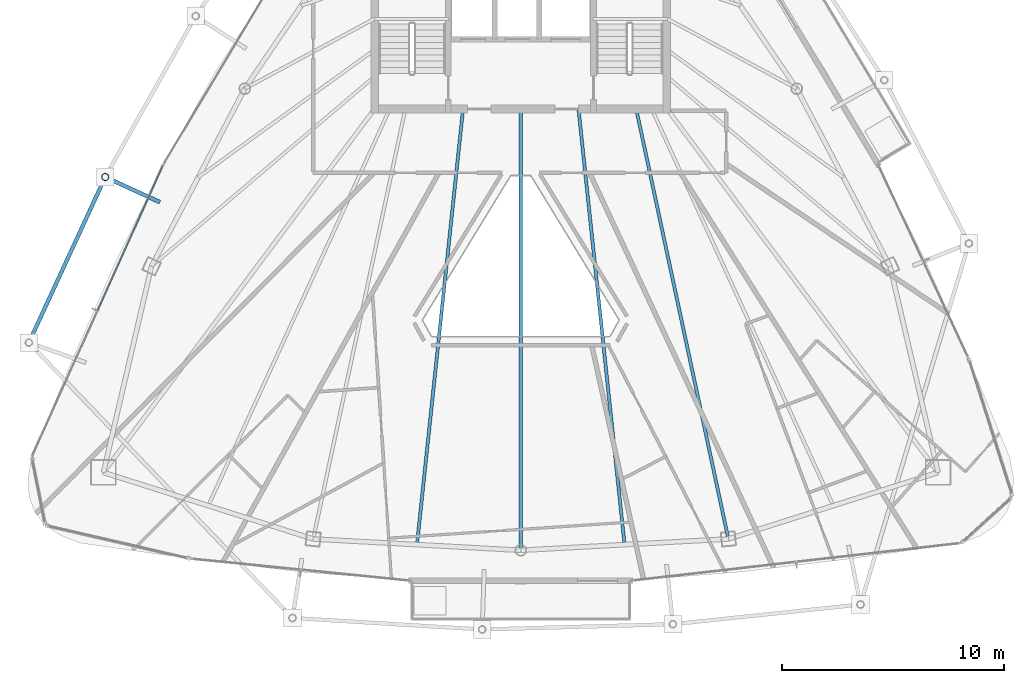
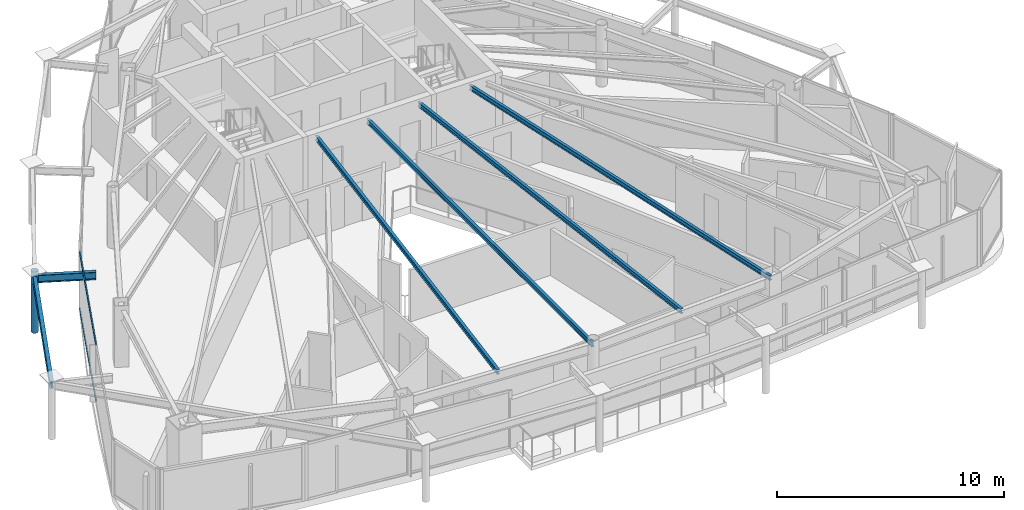
# One storey, part 9 of 29: 6 beams, 3 members, 1 element without a shape of its own.
"""IFC4 building model written with IfcOpenShell, lengths in metres."""

from ifc_helpers import new_model, si_unit, direction, frame, origin, origin_2d, place, context, subcontext, project, spatial, hollow_rectangle, hollow_circle, i_section, extrude, material, layer, layer_set, material_profile, profile_set, type_object, element, aggregate, save


model = new_model("IFC4")

# Units and contexts
model_context = context("Model", 3, precision=1e-05, world=origin(), true_north=direction((0.0, 1.0)))
body_context = subcontext(model_context, "Body", "Model", "MODEL_VIEW")
ifc_project = project(units=[si_unit("LENGTHUNIT", "METRE"), si_unit("AREAUNIT", "SQUARE_METRE"), si_unit("VOLUMEUNIT", "CUBIC_METRE"), si_unit("PLANEANGLEUNIT", "RADIAN"), si_unit("MASSUNIT", "GRAM", prefix="KILO")], contexts=[model_context])

# Site, building, storey
site_placement = place(None, origin())
site = spatial("IfcSite", under=ifc_project, at=site_placement, CompositionType="ELEMENT")
building_placement = place(site_placement, origin())
building = spatial("IfcBuilding", under=site, at=building_placement, Name="Orvanel Arch Residences", CompositionType="ELEMENT")
storey_placement = place(building_placement, frame((0.0, 0.0, 256.85009765625)))
storey = spatial("IfcBuildingStorey", under=building, at=storey_placement, Name="L73", CompositionType="ELEMENT", Elevation=256.85009765625)

# Beams
ifc_material_1 = material(Name="Structural steel AS/NZS 3679.1 Grade 300 (300 MPa)", Category="steel")
ifc_material_profile_1 = material_profile(ifc_material_1, i_section(OverallWidth=0.14599609375, OverallDepth=0.251953125, WebThickness=0.006103515625, FlangeThickness=0.008544921875, at=origin_2d()), Name="250UB31.4")
ifc_profile_set_1 = profile_set([ifc_material_profile_1], Name="Structural steel AS/NZS 3679.1 Grade 300 (300 MPa)")
beam_type_1 = type_object("IfcBeamType", Name="BJ-250UB", PredefinedType="JOIST", material=ifc_profile_set_1)
beam_1_placement = place(storey_placement, frame((38.199951171875, 26.72509765625, 2.933837890625), z_axis=(0.209547604985, -0.977798446125, 0.0), x_axis=(0.977798446125, 0.209547604985, 0.0)))
element("IfcBeam", 1, at=beam_1_placement, inside=storey, type_object=beam_type_1, Name="L73 SE Wing Floor Joist", PredefinedType="JOIST", context=body_context, shape_type="SweptSolid", body=[
    extrude(i_section(OverallWidth=0.14599609375, OverallDepth=0.251953125, WebThickness=0.006103515625, FlangeThickness=0.008544921875, at=origin_2d()), origin(), (0.0, 0.0, 1.0), 19.809814453125),
])
beam_2_placement = place(storey_placement, frame((33.0, 26.72509765625, 2.933837890625), z_axis=(0.0, -1.0, 0.0), x_axis=(1.0, 0.0, 0.0)))
element("IfcBeam", 2, at=beam_2_placement, inside=storey, type_object=beam_type_1, Name="L73 SSW Wing Floor Joist", PredefinedType="JOIST", context=body_context, shape_type="SweptSolid", body=[
    extrude(i_section(OverallWidth=0.14599609375, OverallDepth=0.251953125, WebThickness=0.006103515625, FlangeThickness=0.008544921875, at=origin_2d()), origin(), (0.0, 0.0, 1.0), 19.881103515625),
])
for number, where, z_axis, x_axis, name in (
    (3, (30.39990234375, 26.72509765625, 2.933837890625), (-0.105143936131, -0.994457014, 0.0), (0.994457014, -0.105143936131, 0.0), "L73 WSW2 Wing Floor Joist"),
    (4, (35.60009765625, 26.72509765625, 2.933837890625), (0.105143936131, -0.994457014, 0.0), (0.994457014, 0.105143936131, 0.0), "L73 ESE2 Wing Floor Joist"),
):
    element("IfcBeam", number, at=place(storey_placement, frame(where, z_axis=z_axis, x_axis=x_axis)), inside=storey, type_object=beam_type_1, Name=name, PredefinedType="JOIST", context=body_context, shape_type="SweptSolid", body=[
        extrude(i_section(OverallWidth=0.14599609375, OverallDepth=0.251953125, WebThickness=0.006103515625, FlangeThickness=0.008544921875, at=origin_2d()), origin(), (0.0, 0.0, 1.0), 19.734375),
    ])
ifc_material_profile_2 = material_profile(ifc_material_1, i_section(OverallWidth=0.177978515625, OverallDepth=0.406005859375, WebThickness=0.0078125, FlangeThickness=0.0126953125, at=origin_2d()), Name="410UB59.7")
ifc_profile_set_2 = profile_set([ifc_material_profile_2], Name="Structural steel AS/NZS 3679.1 Grade 300 (300 MPa)")
beam_type_2 = type_object("IfcBeamType", Name="OB-410UB-EXT", PredefinedType="SPANDREL", material=ifc_profile_set_2)
beam_3_placement = place(storey_placement, frame((16.7451171875, 22.52490234375, 2.85693359375), z_axis=(-0.90841457727, 0.418070515349, 0.0), x_axis=(-0.418070515349, -0.90841457727, 0.0)))
element("IfcBeam", 5, at=beam_3_placement, inside=storey, type_object=beam_type_2, Name="L73 Outer Frame Radial Tie Beam 03", PredefinedType="SPANDREL", context=body_context, shape_type="SweptSolid", body=[
    extrude(i_section(OverallWidth=0.177978515625, OverallDepth=0.406005859375, WebThickness=0.0078125, FlangeThickness=0.0126953125, at=origin_2d()), origin(), (0.0, 0.0, 1.0), 2.712646484375),
])
beam_4_placement = place(storey_placement, frame((14.281005859375, 23.658935546875, 2.85693359375), z_axis=(-0.418654910199, -0.908145399243, 0.0), x_axis=(0.908145399243, -0.418654910199, 0.0)))
element("IfcBeam", 6, at=beam_4_placement, inside=storey, type_object=beam_type_2, Name="L73 Outer Perimeter Floor Ring Beam 03", PredefinedType="SPANDREL", context=body_context, shape_type="SweptSolid", body=[
    extrude(i_section(OverallWidth=0.177978515625, OverallDepth=0.406005859375, WebThickness=0.0078125, FlangeThickness=0.0126953125, at=origin_2d()), origin(), (0.0, 0.0, 1.0), 8.216552734375),
])

# Member
ifc_material_2 = material(Name="Structural steel AS/NZS 1163 C350L0 (Grade 350)", Category="steel")
ifc_material_profile_3 = material_profile(ifc_material_2, hollow_circle(Radius=0.162109375, WallThickness=0.0126953125, at=origin_2d()), Name="CHS324x12.7")
ifc_profile_set_3 = profile_set([ifc_material_profile_3], Name="Structural steel AS/NZS 1163 C350L0 (Grade 350)")
member_type_1 = type_object("IfcMemberType", Name="ST-324CHS-EXT", PredefinedType="STRUT", material=ifc_profile_set_3)
member_1_placement = place(storey_placement, frame((14.281005859375, 23.658935546875, 0.0), z_axis=(0.0, 0.0, 1.0), x_axis=(1.0, 0.0, 0.0)))
element("IfcMember", 7, at=member_1_placement, inside=storey, type_object=member_type_1, Name="L73 Outer Perimeter Frame Post 03", PredefinedType="STRUT", context=body_context, shape_type="SweptSolid", body=[
    extrude(hollow_circle(Radius=0.162109375, WallThickness=0.0126953125, at=origin_2d()), origin(), (0.0, 0.0, 1.0), 3.2998046875),
])

# Curtain wall, members
ifc_material_3 = material(Name="Bronze-anodised aluminium AA6063-T6", Category="aluminium")
ifc_layer = layer(ifc_material_3, 0.175048828125)
ifc_layer_set = layer_set([ifc_layer], Name="Bronze-anodised aluminium AA6063-T6")
curtain_wall_type = type_object("IfcCurtainWallType", Name="CW4-HI-SYS", PredefinedType="NOTDEFINED", material=ifc_layer_set)
curtain_wall_placement = place(storey_placement, origin())
curtain_wall = element("IfcCurtainWall", 8, at=curtain_wall_placement, inside=storey, type_object=curtain_wall_type, Name="L73 CW4-HI-SYS Unitised Curtain Wall", PredefinedType="NOTDEFINED")
ifc_material_profile_4 = material_profile(ifc_material_3, hollow_rectangle(XDim=0.06005859375, YDim=0.1201171875, WallThickness=0.00341796875, at=origin_2d()), Name="ALU120x60x3.5")
ifc_profile_set_4 = profile_set([ifc_material_profile_4], Name="Bronze-anodised aluminium AA6063-T6")
member_type_2 = type_object("IfcMemberType", Name="TRN-120x60", PredefinedType="USERDEFINED", material=ifc_profile_set_4)
member_2_placement = place(storey_placement, frame((16.869384765625, 24.15380859375, 0.02978515625), z_axis=(-0.410407456419, -0.911902253378, 0.0), x_axis=(0.911902253378, -0.410407456419, 0.0)))
member_2 = element("IfcMember", 9, at=member_2_placement, type_object=member_type_2, Name="CW-S4 transom 1.1", ObjectType="TRANSOM", PredefinedType="USERDEFINED", context=body_context, shape_type="SweptSolid", body=[
    extrude(hollow_rectangle(XDim=0.06005859375, YDim=0.1201171875, WallThickness=0.00341796875, at=origin_2d()), origin(), (0.0, 0.0, 1.0), 7.118896484375),
])
member_3_placement = place(storey_placement, frame((16.869384765625, 24.15380859375, 3.02978515625), z_axis=(-0.410407456419, -0.911902253378, 0.0), x_axis=(0.911902253378, -0.410407456419, 0.0)))
member_3 = element("IfcMember", 10, at=member_3_placement, type_object=member_type_2, Name="CW-S4 transom 1.2", ObjectType="TRANSOM", PredefinedType="USERDEFINED", context=body_context, shape_type="SweptSolid", body=[
    extrude(hollow_rectangle(XDim=0.06005859375, YDim=0.1201171875, WallThickness=0.00341796875, at=origin_2d()), origin(), (0.0, 0.0, 1.0), 7.118896484375),
])
aggregate(curtain_wall, [member_2, member_3])

save(model, "model.ifc")
